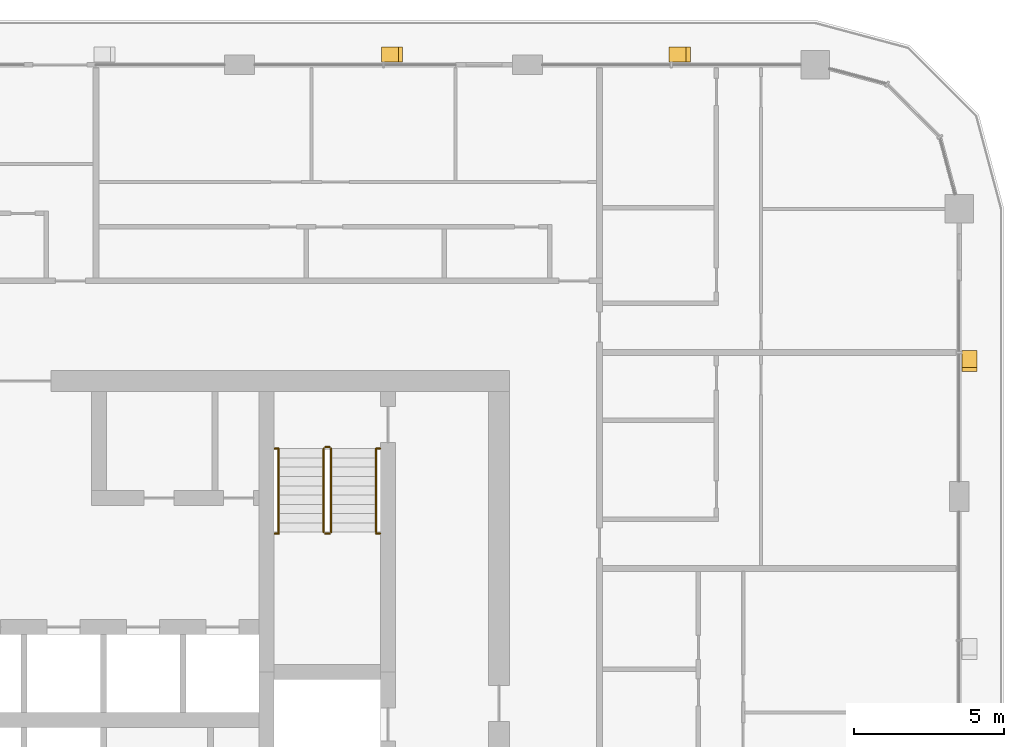
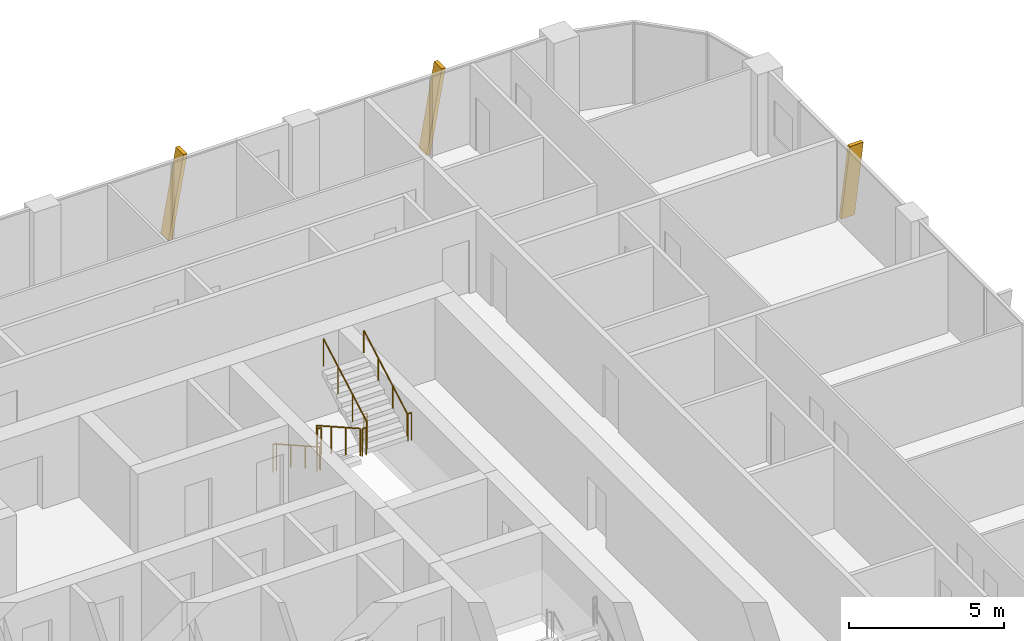
# One storey, part 22 of 22: 10 railings, 3 shading devices.
"""IFC4 building model written with IfcOpenShell, lengths in metres."""

from ifc_helpers import new_model, si_unit, direction, frame, origin, origin_2d, place, context, subcontext, project, spatial, polyline, circle, outline, extrude, material, type_object, element, save


model = new_model("IFC4")

# Units and contexts
model_context = context("Model", 3, precision=1e-05, world=origin(), true_north=direction((0.0, 1.0)))
body_context = subcontext(model_context, "Body", "Model", "MODEL_VIEW")
ifc_project = project(units=[si_unit("LENGTHUNIT", "METRE"), si_unit("AREAUNIT", "SQUARE_METRE"), si_unit("VOLUMEUNIT", "CUBIC_METRE"), si_unit("PLANEANGLEUNIT", "RADIAN"), si_unit("MASSUNIT", "GRAM", prefix="KILO")], contexts=[model_context])

# Site, building, storey
site_placement = place(None, origin())
site = spatial("IfcSite", under=ifc_project, at=site_placement, CompositionType="ELEMENT")
building_placement = place(site_placement, origin())
building = spatial("IfcBuilding", under=site, at=building_placement, Name="Madar Terraces", CompositionType="ELEMENT")
storey_placement = place(building_placement, frame((0.0, 0.0, 182.39990234375)))
storey = spatial("IfcBuildingStorey", under=building, at=storey_placement, Name="L47", CompositionType="ELEMENT", Elevation=182.39990234375)

# Shading devices
ifc_material_1 = material(Name="Aluminium, black anodised", Category="aluminium")
shading_device_type = type_object("IfcShadingDeviceType", Name="Facade fin blade 140 x 500", PredefinedType="USERDEFINED", material=ifc_material_1)
shading_device_placement = place(storey_placement, frame((62.75, 38.330078125, 0.0), z_axis=(0.0, 0.0, 1.0), x_axis=(0.0, 1.0, 0.0)))
element("IfcShadingDevice", 1, at=shading_device_placement, inside=storey, type_object=shading_device_type, Name="FIN L47 E4", ObjectType="FIN", PredefinedType="USERDEFINED", context=body_context, shape_type="SweptSolid", body=[
    extrude(outline(polyline([(0.0, 0.0), (0.139892578125, 0.0), (-0.42431640625, 3.2001953125), (-0.564208984375, 3.2001953125), (0.0, 0.0)])), frame((0.0, 0.25, 0.0), z_axis=(0.0, -1.0, 0.0), x_axis=(1.0, 0.0, 0.0)), (0.0, 0.0, 1.0), 0.5),
])
for number, where, z_axis, x_axis, name in (
    (2, (52.8701171875, 48.35009765625, 0.0), (0.0, 0.0, 1.0), (-1.0, 0.0, 0.0), "FIN L47 N1"),
    (3, (43.27001953125, 48.35009765625, 0.0), (0.0, 0.0, 1.0), (-1.0, 0.0, 0.0), "FIN L47 N2"),
):
    element("IfcShadingDevice", number, at=place(storey_placement, frame(where, z_axis=z_axis, x_axis=x_axis)), inside=storey, type_object=shading_device_type, Name=name, ObjectType="FIN", PredefinedType="USERDEFINED", context=body_context, shape_type="SweptSolid", body=[
        extrude(outline(polyline([(0.0, 0.0), (0.14013671875, 0.0), (-0.42431640625, 3.2001953125), (-0.564208984375, 3.2001953125), (0.0, 0.0)])), frame((0.0, 0.25, 0.0), z_axis=(0.0, -1.0, 0.0), x_axis=(1.0, 0.0, 0.0)), (0.0, 0.0, 1.0), 0.5),
    ])

# Railings
ifc_material_2 = material(Name="Stainless steel railing", Category="steel")
railing_type_1 = type_object("IfcRailingType", Name="Stair guard 1100", PredefinedType="GUARDRAIL", material=ifc_material_2)
railing_1_placement = place(storey_placement, frame((41.199951171875, 35.199951171875, 0.175048828125)))
element("IfcRailing", 4, at=railing_1_placement, inside=storey, type_object=railing_type_1, Name="L47 ST2 stair guard 1", PredefinedType="GUARDRAIL", context=body_context, shape_type="SweptSolid", body=[
    extrude(circle(Radius=0.02392578125, at=origin_2d()), frame((0.0, 0.0, 1.076171875), z_axis=(0.0, -0.870833779661, 0.491577591232), x_axis=(1.0, 0.0, 0.0)), (0.0, 0.0, 1.0), 3.203857421875),
    extrude(circle(Radius=0.02099609375, at=origin_2d()), origin(), (0.0, 0.0, 1.0), 1.052001953125),
    extrude(circle(Radius=0.02099609375, at=origin_2d()), frame((0.0, -0.929931640625, 0.52490234375)), (0.0, 0.0, 1.0), 1.052001953125),
    extrude(circle(Radius=0.02099609375, at=origin_2d()), frame((0.0, -1.860107421875, 1.050048828125)), (0.0, 0.0, 1.0), 1.052001953125),
    extrude(circle(Radius=0.02099609375, at=origin_2d()), frame((0.0, -2.7900390625, 1.574951171875)), (0.0, 0.0, 1.0), 1.052001953125),
])
railing_2_placement = place(storey_placement, frame((41.25, 32.360107421875, 1.75)))
element("IfcRailing", 5, at=railing_2_placement, inside=storey, type_object=railing_type_1, Name="L47 ST2 stair guard 2", PredefinedType="GUARDRAIL", context=body_context, shape_type="SweptSolid", body=[
    extrude(circle(Radius=0.02392578125, at=origin_2d()), frame((0.0, 0.0, 1.076171875), z_axis=(1.0, 0.0, 0.0), x_axis=(0.0, 1.0, 0.0)), (0.0, 0.0, 1.0), 0.14990234375),
    extrude(circle(Radius=0.02099609375, at=origin_2d()), origin(), (0.0, 0.0, 1.0), 1.052001953125),
    extrude(circle(Radius=0.02099609375, at=origin_2d()), frame((0.14990234375, 0.0, 0.0)), (0.0, 0.0, 1.0), 1.052001953125),
])
railing_3_placement = place(storey_placement, frame((41.449951171875, 32.409912109375, 1.925048828125)))
element("IfcRailing", 6, at=railing_3_placement, inside=storey, type_object=railing_type_1, Name="L47 ST2 stair guard 3", PredefinedType="GUARDRAIL", context=body_context, shape_type="SweptSolid", body=[
    extrude(circle(Radius=0.02392578125, at=origin_2d()), frame((0.0, 0.0, 1.076171875), z_axis=(0.0, 0.870833779661, 0.491577591232), x_axis=(-1.0, 0.0, 0.0)), (0.0, 0.0, 1.0), 3.203857421875),
    extrude(circle(Radius=0.02099609375, at=origin_2d()), origin(), (0.0, 0.0, 1.0), 1.052001953125),
    extrude(circle(Radius=0.02099609375, at=origin_2d()), frame((0.0, 0.929931640625, 0.52490234375)), (0.0, 0.0, 1.0), 1.052001953125),
    extrude(circle(Radius=0.02099609375, at=origin_2d()), frame((0.0, 1.860107421875, 1.050048828125)), (0.0, 0.0, 1.0), 1.052001953125),
    extrude(circle(Radius=0.02099609375, at=origin_2d()), frame((0.0, 2.7900390625, 1.574951171875)), (0.0, 0.0, 1.0), 1.052001953125),
])
railing_4_placement = place(storey_placement, frame((41.25, 35.25, 0.0)))
element("IfcRailing", 7, at=railing_4_placement, inside=storey, type_object=railing_type_1, Name="L47 ST2 stair guard 4", PredefinedType="GUARDRAIL", context=body_context, shape_type="SweptSolid", body=[
    extrude(circle(Radius=0.02392578125, at=origin_2d()), frame((0.0, 0.0, 1.076171875), z_axis=(1.0, 0.0, 0.0), x_axis=(0.0, 1.0, 0.0)), (0.0, 0.0, 1.0), 0.14990234375),
    extrude(circle(Radius=0.02099609375, at=origin_2d()), origin(), (0.0, 0.0, 1.0), 1.052001953125),
    extrude(circle(Radius=0.02099609375, at=origin_2d()), frame((0.14990234375, 0.0, 0.0)), (0.0, 0.0, 1.0), 1.052001953125),
])
railing_5_placement = place(storey_placement, frame((39.570068359375, 32.360107421875, 1.75)))
element("IfcRailing", 8, at=railing_5_placement, inside=storey, type_object=railing_type_1, Name="L47 stair guard seat 1", PredefinedType="GUARDRAIL", context=body_context, shape_type="SweptSolid", body=[
    extrude(circle(Radius=0.02392578125, at=origin_2d()), frame((0.0, 0.0, 1.076171875), z_axis=(1.0, 0.0, 0.0), x_axis=(0.0, 1.0, 0.0)), (0.0, 0.0, 1.0), 0.1298828125),
    extrude(circle(Radius=0.02099609375, at=origin_2d()), origin(), (0.0, 0.0, 1.0), 1.052001953125),
    extrude(circle(Radius=0.02099609375, at=origin_2d()), frame((0.1298828125, 0.0, 0.0)), (0.0, 0.0, 1.0), 1.052001953125),
])
railing_6_placement = place(storey_placement, frame((42.949951171875, 32.360107421875, 1.75)))
element("IfcRailing", 9, at=railing_6_placement, inside=storey, type_object=railing_type_1, Name="L47 stair guard seat 2", PredefinedType="GUARDRAIL", context=body_context, shape_type="SweptSolid", body=[
    extrude(circle(Radius=0.02392578125, at=origin_2d()), frame((0.0, 0.0, 1.076171875), z_axis=(1.0, 0.0, 0.0), x_axis=(0.0, 1.0, 0.0)), (0.0, 0.0, 1.0), 0.130126953125),
    extrude(circle(Radius=0.02099609375, at=origin_2d()), origin(), (0.0, 0.0, 1.0), 1.052001953125),
    extrude(circle(Radius=0.02099609375, at=origin_2d()), frame((0.130126953125, 0.0, 0.0)), (0.0, 0.0, 1.0), 1.052001953125),
])
railing_7_placement = place(storey_placement, frame((39.570068359375, 35.199951171875, 0.0)))
element("IfcRailing", 10, at=railing_7_placement, inside=storey, type_object=railing_type_1, Name="L47 stair guard floor 1", PredefinedType="GUARDRAIL", context=body_context, shape_type="SweptSolid", body=[
    extrude(circle(Radius=0.02392578125, at=origin_2d()), frame((0.0, 0.0, 1.076171875), z_axis=(1.0, 0.0, 0.0), x_axis=(0.0, 1.0, 0.0)), (0.0, 0.0, 1.0), 0.1298828125),
    extrude(circle(Radius=0.02099609375, at=origin_2d()), origin(), (0.0, 0.0, 1.0), 1.052001953125),
    extrude(circle(Radius=0.02099609375, at=origin_2d()), frame((0.1298828125, 0.0, 0.0)), (0.0, 0.0, 1.0), 1.052001953125),
])
railing_8_placement = place(storey_placement, frame((42.949951171875, 35.199951171875, 0.0)))
element("IfcRailing", 11, at=railing_8_placement, inside=storey, type_object=railing_type_1, Name="L47 stair guard floor 2", PredefinedType="GUARDRAIL", context=body_context, shape_type="SweptSolid", body=[
    extrude(circle(Radius=0.02392578125, at=origin_2d()), frame((0.0, 0.0, 1.076171875), z_axis=(1.0, 0.0, 0.0), x_axis=(0.0, 1.0, 0.0)), (0.0, 0.0, 1.0), 0.130126953125),
    extrude(circle(Radius=0.02099609375, at=origin_2d()), origin(), (0.0, 0.0, 1.0), 1.052001953125),
    extrude(circle(Radius=0.02099609375, at=origin_2d()), frame((0.130126953125, 0.0, 0.0)), (0.0, 0.0, 1.0), 1.052001953125),
])
ifc_material_3 = material(Name="Stainless steel railing", Category="steel")
railing_type_2 = type_object("IfcRailingType", Name="Stair handrail 900", PredefinedType="HANDRAIL", material=ifc_material_3)
railing_9_placement = place(storey_placement, frame((39.699951171875, 35.199951171875, 0.175048828125)))
element("IfcRailing", 12, at=railing_9_placement, inside=storey, type_object=railing_type_2, Name="L47 ST2 stair handrail 1", PredefinedType="HANDRAIL", context=body_context, shape_type="SweptSolid", body=[
    extrude(circle(Radius=0.02392578125, at=origin_2d()), frame((0.0, 0.0, 0.8759765625), z_axis=(0.0, -0.870833779661, 0.491577591232), x_axis=(1.0, 0.0, 0.0)), (0.0, 0.0, 1.0), 3.203857421875),
    extrude(circle(Radius=0.02099609375, at=origin_2d()), origin(), (0.0, 0.0, 1.0), 0.851806640625),
    extrude(circle(Radius=0.02099609375, at=origin_2d()), frame((0.0, -0.929931640625, 0.52490234375)), (0.0, 0.0, 1.0), 0.851806640625),
    extrude(circle(Radius=0.02099609375, at=origin_2d()), frame((0.0, -1.860107421875, 1.050048828125)), (0.0, 0.0, 1.0), 0.851806640625),
    extrude(circle(Radius=0.02099609375, at=origin_2d()), frame((0.0, -2.7900390625, 1.574951171875)), (0.0, 0.0, 1.0), 0.851806640625),
])
railing_10_placement = place(storey_placement, frame((42.949951171875, 32.409912109375, 1.925048828125)))
element("IfcRailing", 13, at=railing_10_placement, inside=storey, type_object=railing_type_2, Name="L47 ST2 stair handrail 2", PredefinedType="HANDRAIL", context=body_context, shape_type="SweptSolid", body=[
    extrude(circle(Radius=0.02392578125, at=origin_2d()), frame((0.0, 0.0, 0.8759765625), z_axis=(0.0, 0.870833779661, 0.491577591232), x_axis=(-1.0, 0.0, 0.0)), (0.0, 0.0, 1.0), 3.203857421875),
    extrude(circle(Radius=0.02099609375, at=origin_2d()), origin(), (0.0, 0.0, 1.0), 0.851806640625),
    extrude(circle(Radius=0.02099609375, at=origin_2d()), frame((0.0, 0.929931640625, 0.52490234375)), (0.0, 0.0, 1.0), 0.851806640625),
    extrude(circle(Radius=0.02099609375, at=origin_2d()), frame((0.0, 1.860107421875, 1.050048828125)), (0.0, 0.0, 1.0), 0.851806640625),
    extrude(circle(Radius=0.02099609375, at=origin_2d()), frame((0.0, 2.7900390625, 1.574951171875)), (0.0, 0.0, 1.0), 0.851806640625),
])

save(model, "model.ifc")
